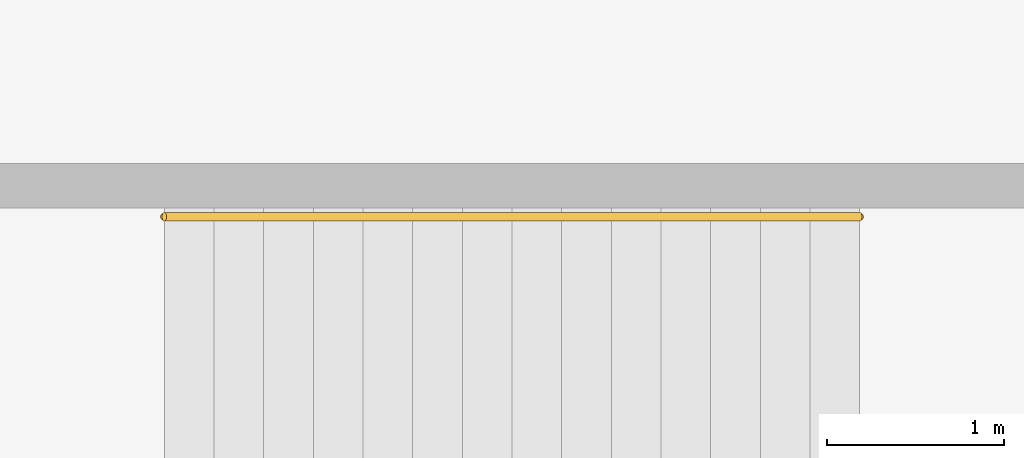
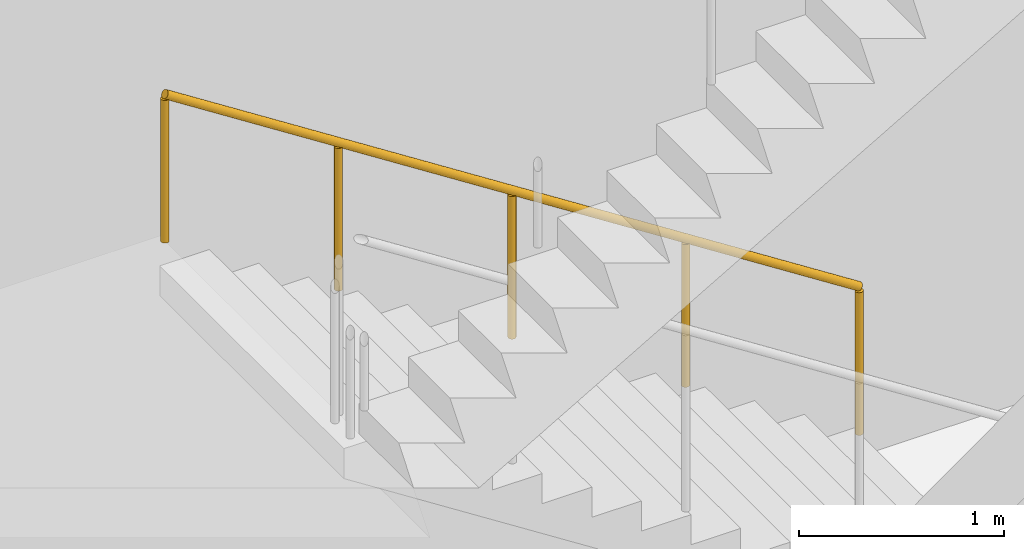
# One storey, part 43 of 43: 1 railing.
"""IFC4 building model written with IfcOpenShell, lengths in metres."""

from ifc_helpers import new_model, si_unit, direction, frame, origin, origin_2d, place, context, subcontext, project, spatial, circle, extrude, material, type_object, element, save


model = new_model("IFC4")

# Units and contexts
model_context = context("Model", 3, precision=1e-05, world=origin(), true_north=direction((0.0, 1.0)))
body_context = subcontext(model_context, "Body", "Model", "MODEL_VIEW")
ifc_project = project(units=[si_unit("LENGTHUNIT", "METRE"), si_unit("AREAUNIT", "SQUARE_METRE"), si_unit("VOLUMEUNIT", "CUBIC_METRE"), si_unit("PLANEANGLEUNIT", "RADIAN"), si_unit("MASSUNIT", "GRAM", prefix="KILO")], contexts=[model_context])

# Site, building, storey
site_placement = place(None, origin())
site = spatial("IfcSite", under=ifc_project, at=site_placement, CompositionType="ELEMENT")
building_placement = place(site_placement, origin())
building = spatial("IfcBuilding", under=site, at=building_placement, Name="Hunhe Ridgeline Campus", CompositionType="ELEMENT")
storey_placement = place(building_placement, frame((0.0, 0.0, 11.39990234375)))
storey = spatial("IfcBuildingStorey", under=building, at=storey_placement, Name="L02", CompositionType="ELEMENT", Elevation=11.39990234375)

# Railing
ifc_material = material(Name="Steel Q235", Category="steel")
railing_type = type_object("IfcRailingType", Name="Hall stair handrail", PredefinedType="HANDRAIL", material=ifc_material)
railing_placement = place(storey_placement, frame((207.800048828125, 69.050048828125, 0.18017578125)))
element("IfcRailing", 1, at=railing_placement, inside=storey, type_object=railing_type, Name="L02 HS4 stair handrail 1", PredefinedType="HANDRAIL", context=body_context, shape_type="SweptSolid", body=[
    extrude(circle(Radius=0.02392578125, at=origin_2d()), frame((0.0, 0.0, 0.8759765625), z_axis=(-0.841186985886, 0.0, 0.540744352514), x_axis=(0.0, -1.0, 0.0)), (0.0, 0.0, 1.0), 4.660400390625),
    extrude(circle(Radius=0.02099609375, at=origin_2d()), origin(), (0.0, 0.0, 1.0), 0.851806640625),
    extrude(circle(Radius=0.02099609375, at=origin_2d()), frame((-0.97998046875, 0.0, 0.6298828125)), (0.0, 0.0, 1.0), 0.851806640625),
    extrude(circle(Radius=0.02099609375, at=origin_2d()), frame((-1.9599609375, 0.0, 1.260009765625)), (0.0, 0.0, 1.0), 0.851806640625),
    extrude(circle(Radius=0.02099609375, at=origin_2d()), frame((-2.940185546875, 0.0, 1.89013671875)), (0.0, 0.0, 1.0), 0.851806640625),
    extrude(circle(Radius=0.02099609375, at=origin_2d()), frame((-3.920166015625, 0.0, 2.52001953125)), (0.0, 0.0, 1.0), 0.851806640625),
])

save(model, "model.ifc")
